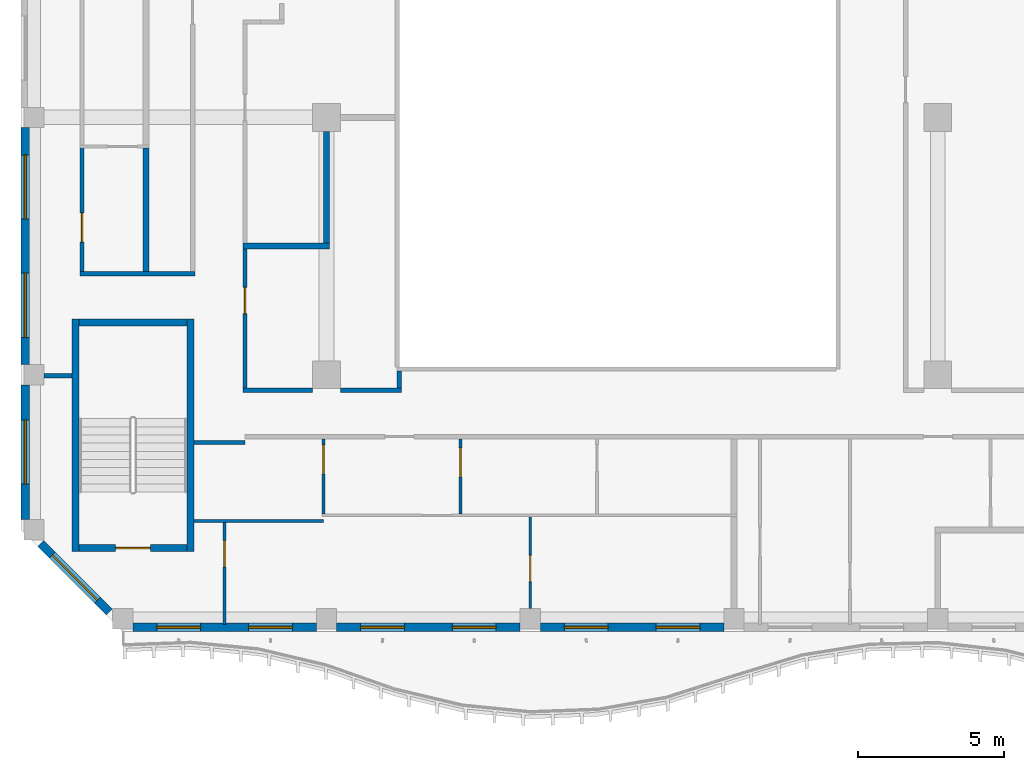
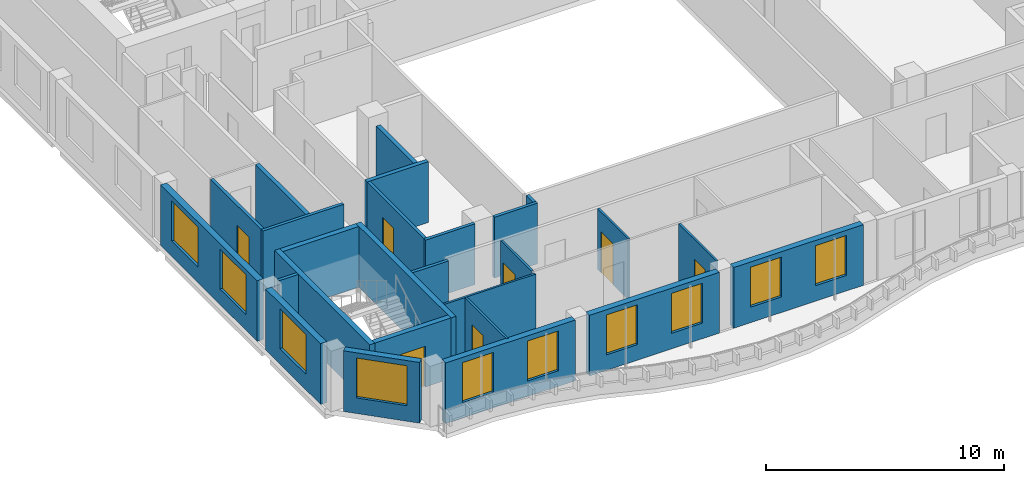
# One storey, part 2 of 20: 26 walls, 10 windows, 7 doors, 17 openings.
"""IFC4 building model written with IfcOpenShell, lengths in metres."""

from ifc_helpers import new_model, si_unit, direction, frame, frame_2d, origin, place, context, subcontext, project, spatial, rectangle, extrude, source, transform, mapped, material, layer, layer_set, type_object, element, fill, save


model = new_model("IFC4")

# Units and contexts
model_context = context("Model", 3, precision=1e-05, world=origin(), true_north=direction((0.0, 1.0)))
body_context = subcontext(model_context, "Body", "Model", "MODEL_VIEW")
ifc_project = project(units=[si_unit("LENGTHUNIT", "METRE"), si_unit("AREAUNIT", "SQUARE_METRE"), si_unit("VOLUMEUNIT", "CUBIC_METRE"), si_unit("PLANEANGLEUNIT", "RADIAN"), si_unit("MASSUNIT", "GRAM", prefix="KILO")], contexts=[model_context])

# Site, building, storey
site_placement = place(None, origin())
site = spatial("IfcSite", under=ifc_project, at=site_placement, CompositionType="ELEMENT")
building_placement = place(site_placement, origin())
building = spatial("IfcBuilding", under=site, at=building_placement, Name="Kilnfold Tower and Market Hall", CompositionType="ELEMENT")
storey_placement = place(building_placement, frame((0.0, 0.0, 239.0)))
storey = spatial("IfcBuildingStorey", under=building, at=storey_placement, Name="L57", CompositionType="ELEMENT", Elevation=239.0)

# Wall, opening, door
ifc_material_1 = material(Name="Gypsum board on steel studs", Category="steel")
ifc_layer_1 = layer(ifc_material_1, 0.14990234375)
ifc_layer_set_1 = layer_set([ifc_layer_1], Name="Gypsum board on steel studs")
wall_type_1 = type_object("IfcWallType", Name="WALL CORRIDOR 150", PredefinedType="PARTITIONING", material=ifc_layer_set_1)
wall_1_placement = place(storey_placement, frame((-17.39990234375, -6.125, 0.0), z_axis=(0.0, 0.0, 1.0), x_axis=(0.0, 1.0, 0.0)))
wall_1 = element("IfcWall", 1, at=wall_1_placement, inside=storey, type_object=wall_type_1, Name="Partition LY35.1", PredefinedType="PARTITIONING", context=body_context, shape_type="SweptSolid", body=[
    extrude(rectangle(XDim=4.25390625, YDim=0.14990234375, at=frame_2d((2.126953125, 0.0))), origin(), (0.0, 0.0, 1.0), 3.1201171875),
])
opening_1_placement = place(wall_1_placement, frame((1.014892578125, 0.0, 0.0)))
opening_1 = element("IfcOpeningElement", 2, at=opening_1_placement, cuts=wall_1, Name="Opening D1", PredefinedType="OPENING", context=body_context, shape_type="SweptSolid", body=[
    extrude(rectangle(XDim=1.0, YDim=2.10009765625, at=frame_2d((0.5, 1.050048828125))), frame((0.0, 0.0849609375, 0.0), z_axis=(0.0, -1.0, 0.0), x_axis=(1.0, 0.0, 0.0)), (0.0, 0.0, 1.0), 0.169921875),
])
ifc_material_2 = material(Name="Timber veneer door leaf in steel frame", Category="steel")
door_type_1 = type_object("IfcDoorType", Name="DOOR ENTRY 1000 X2100", OperationType="NOTDEFINED", PredefinedType="DOOR", material=ifc_material_2)
door_1_placement = place(opening_1_placement, origin())
door_1 = element("IfcDoor", 3, at=door_1_placement, inside=storey, type_object=door_type_1, Name="Door D1", OperationType="SINGLE_SWING_LEFT", OverallHeight=2.10009765625, OverallWidth=1.0, PredefinedType="DOOR", context=body_context, shape_type="SweptSolid", body=[
    extrude(rectangle(XDim=1.0, YDim=2.10009765625, at=frame_2d((0.5, 1.050048828125))), frame((0.0, 0.02490234375, 0.0), z_axis=(0.0, -1.0, 0.0), x_axis=(1.0, 0.0, 0.0)), (0.0, 0.0, 1.0), 0.050048828125),
])
fill(opening_1, door_1)

# Walls
wall_2_placement = place(storey_placement, frame((-17.47509765625, -6.199951171875, 0.0), z_axis=(0.0, 0.0, 1.0), x_axis=(1.0, 0.0, 0.0)))
element("IfcWall", 4, at=wall_2_placement, inside=storey, type_object=wall_type_1, Name="Partition LY35.2", PredefinedType="PARTITIONING", context=body_context, shape_type="SweptSolid", body=[
    extrude(rectangle(XDim=3.9501953125, YDim=0.14990234375, at=frame_2d((1.97509765625, 0.0))), origin(), (0.0, 0.0, 1.0), 3.1201171875),
])
wall_3_placement = place(storey_placement, frame((-13.550048828125, -12.0, 0.0), z_axis=(0.0, 0.0, 1.0), x_axis=(1.0, 0.0, 0.0)))
element("IfcWall", 5, at=wall_3_placement, inside=storey, type_object=wall_type_1, Name="Partition LY35.10", PredefinedType="PARTITIONING", context=body_context, shape_type="SweptSolid", body=[
    extrude(rectangle(XDim=1.75, YDim=0.14990234375, at=frame_2d((0.875, 0.0))), origin(), (0.0, 0.0, 1.0), 3.1201171875),
])
wall_4_placement = place(storey_placement, frame((-18.699951171875, -9.699951171875, 0.0), z_axis=(0.0, 0.0, 1.0), x_axis=(1.0, 0.0, 0.0)))
element("IfcWall", 6, at=wall_4_placement, inside=storey, type_object=wall_type_1, Name="Partition LY35.11", PredefinedType="PARTITIONING", context=body_context, shape_type="SweptSolid", body=[
    extrude(rectangle(XDim=0.949951171875, YDim=0.14990234375, at=frame_2d((0.47509765625, 0.0))), origin(), (0.0, 0.0, 1.0), 3.1201171875),
])

# Wall, opening, door
wall_5_placement = place(storey_placement, frame((-11.800048828125, -10.125, 0.0), z_axis=(0.0, 0.0, 1.0), x_axis=(0.0, 1.0, 0.0)))
wall_5 = element("IfcWall", 7, at=wall_5_placement, inside=storey, type_object=wall_type_1, Name="Partition LY35.36", PredefinedType="PARTITIONING", context=body_context, shape_type="SweptSolid", body=[
    extrude(rectangle(XDim=4.784912109375, YDim=0.14990234375, at=frame_2d((2.392578125, 0.0))), origin(), (0.0, 0.0, 1.0), 3.1201171875),
])
opening_2_placement = place(wall_5_placement, frame((2.55810546875, 0.0, 0.0)))
opening_2 = element("IfcOpeningElement", 8, at=opening_2_placement, cuts=wall_5, Name="Opening D2", PredefinedType="OPENING", context=body_context, shape_type="SweptSolid", body=[
    extrude(rectangle(XDim=0.89990234375, YDim=2.10009765625, at=frame_2d((0.449951171875, 1.050048828125))), frame((0.0, 0.0849609375, 0.0), z_axis=(0.0, -1.0, 0.0), x_axis=(1.0, 0.0, 0.0)), (0.0, 0.0, 1.0), 0.169921875),
])
ifc_material_3 = material(Name="Timber veneer door leaf in steel frame", Category="steel")
door_type_2 = type_object("IfcDoorType", Name="DOOR ROOM 900 X2100", OperationType="NOTDEFINED", PredefinedType="DOOR", material=ifc_material_3)
door_2_placement = place(opening_2_placement, origin())
door_2 = element("IfcDoor", 9, at=door_2_placement, inside=storey, type_object=door_type_2, Name="Door D2", OperationType="SINGLE_SWING_RIGHT", OverallHeight=2.10009765625, OverallWidth=0.89990234375, PredefinedType="DOOR", context=body_context, shape_type="SweptSolid", body=[
    extrude(rectangle(XDim=0.89990234375, YDim=2.10009765625, at=frame_2d((0.449951171875, 1.050048828125))), frame((0.0, 0.02490234375, 0.0), z_axis=(0.0, -1.0, 0.0), x_axis=(1.0, 0.0, 0.0)), (0.0, 0.0, 1.0), 0.050048828125),
])
fill(opening_2, door_2)

# Walls
wall_6_placement = place(storey_placement, frame((-8.52490234375, -10.199951171875, 0.0), z_axis=(0.0, 0.0, 1.0), x_axis=(1.0, 0.0, 0.0)))
element("IfcWall", 10, at=wall_6_placement, inside=storey, type_object=wall_type_1, Name="Partition LY35.37", PredefinedType="PARTITIONING", context=body_context, shape_type="SweptSolid", body=[
    extrude(rectangle(XDim=2.099853515625, YDim=0.14990234375, at=frame_2d((1.0498046875, 0.0))), origin(), (0.0, 0.0, 1.0), 3.1201171875),
])
wall_7_placement = place(storey_placement, frame((-11.875, -10.199951171875, 0.0), z_axis=(0.0, 0.0, 1.0), x_axis=(1.0, 0.0, 0.0)))
element("IfcWall", 11, at=wall_7_placement, inside=storey, type_object=wall_type_1, Name="Partition LY35.38", PredefinedType="PARTITIONING", context=body_context, shape_type="SweptSolid", body=[
    extrude(rectangle(XDim=2.39990234375, YDim=0.14990234375, at=frame_2d((1.199951171875, 0.0))), origin(), (0.0, 0.0, 1.0), 3.1201171875),
])
wall_8_placement = place(storey_placement, frame((-6.5, -9.550048828125, 0.0), z_axis=(0.0, 0.0, 1.0), x_axis=(0.0, -1.0, 0.0)))
element("IfcWall", 12, at=wall_8_placement, inside=storey, type_object=wall_type_1, Name="Partition LY35.39", PredefinedType="PARTITIONING", context=body_context, shape_type="SweptSolid", body=[
    extrude(rectangle(XDim=0.574951171875, YDim=0.14990234375, at=frame_2d((0.28759765625, 0.0))), origin(), (0.0, 0.0, 1.0), 3.1201171875),
])

# Wall, opening, door
ifc_material_4 = material(Name="Gypsum board on steel studs", Category="steel")
ifc_layer_2 = layer(ifc_material_4, 0.10009765625)
ifc_layer_set_2 = layer_set([ifc_layer_2], Name="Gypsum board on steel studs")
wall_type_2 = type_object("IfcWallType", Name="WALL PARTITION 100", PredefinedType="PARTITIONING", material=ifc_layer_set_2)
wall_9_placement = place(storey_placement, frame((-9.10009765625, -14.4599609375, 0.0), z_axis=(0.0, 0.0, 1.0), x_axis=(0.0, 1.0, 0.0)))
wall_9 = element("IfcWall", 13, at=wall_9_placement, inside=storey, type_object=wall_type_2, Name="Partition LY35.54", PredefinedType="PARTITIONING", context=body_context, shape_type="SweptSolid", body=[
    extrude(rectangle(XDim=2.5830078125, YDim=0.10009765625, at=frame_2d((1.29150390625, 0.0))), origin(), (0.0, 0.0, 1.0), 3.1201171875),
])
opening_3_placement = place(wall_9_placement, frame((1.383056640625, 0.0, 0.0)))
opening_3 = element("IfcOpeningElement", 14, at=opening_3_placement, cuts=wall_9, Name="Opening D1", PredefinedType="OPENING", context=body_context, shape_type="SweptSolid", body=[
    extrude(rectangle(XDim=1.0, YDim=2.10009765625, at=frame_2d((0.5, 1.050048828125))), frame((0.0, 0.06005859375, 0.0), z_axis=(0.0, -1.0, 0.0), x_axis=(1.0, 0.0, 0.0)), (0.0, 0.0, 1.0), 0.1201171875),
])
door_3_placement = place(opening_3_placement, origin())
door_3 = element("IfcDoor", 15, at=door_3_placement, inside=storey, type_object=door_type_1, Name="Door D1", OperationType="SINGLE_SWING_LEFT", OverallHeight=2.10009765625, OverallWidth=1.0, PredefinedType="DOOR", context=body_context, shape_type="SweptSolid", body=[
    extrude(rectangle(XDim=1.0, YDim=2.10009765625, at=frame_2d((0.5, 1.050048828125))), frame((0.0, 0.02490234375, 0.0), z_axis=(0.0, -1.0, 0.0), x_axis=(1.0, 0.0, 0.0)), (0.0, 0.0, 1.0), 0.050048828125),
])
fill(opening_3, door_3)

# Wall
wall_10_placement = place(storey_placement, frame((-13.550048828125, -14.699951171875, 0.0), z_axis=(0.0, 0.0, 1.0), x_axis=(1.0, 0.0, 0.0)))
element("IfcWall", 16, at=wall_10_placement, inside=storey, type_object=wall_type_2, Name="Partition LY35.55", PredefinedType="PARTITIONING", context=body_context, shape_type="SweptSolid", body=[
    extrude(rectangle(XDim=4.449951171875, YDim=0.10009765625, at=frame_2d((2.22509765625, 0.0))), origin(), (0.0, 0.0, 1.0), 3.1201171875),
])

# Wall, opening, door
wall_11_placement = place(storey_placement, frame((-4.39990234375, -14.449951171875, 0.0), z_axis=(0.0, 0.0, 1.0), x_axis=(0.0, 1.0, 0.0)))
wall_11 = element("IfcWall", 17, at=wall_11_placement, inside=storey, type_object=wall_type_2, Name="Partition LY35.56", PredefinedType="PARTITIONING", context=body_context, shape_type="SweptSolid", body=[
    extrude(rectangle(XDim=2.572998046875, YDim=0.10009765625, at=frame_2d((1.28662109375, 0.0))), origin(), (0.0, 0.0, 1.0), 3.1201171875),
])
opening_4_placement = place(wall_11_placement, frame((1.26611328125, 0.0, 0.0)))
opening_4 = element("IfcOpeningElement", 18, at=opening_4_placement, cuts=wall_11, Name="Opening D1", PredefinedType="OPENING", context=body_context, shape_type="SweptSolid", body=[
    extrude(rectangle(XDim=1.0, YDim=2.10009765625, at=frame_2d((0.5, 1.050048828125))), frame((0.0, 0.06005859375, 0.0), z_axis=(0.0, -1.0, 0.0), x_axis=(1.0, 0.0, 0.0)), (0.0, 0.0, 1.0), 0.1201171875),
])
door_4_placement = place(opening_4_placement, origin())
door_4 = element("IfcDoor", 19, at=door_4_placement, inside=storey, type_object=door_type_1, Name="Door D1", OperationType="SINGLE_SWING_LEFT", OverallHeight=2.10009765625, OverallWidth=1.0, PredefinedType="DOOR", context=body_context, shape_type="SweptSolid", body=[
    extrude(rectangle(XDim=1.0, YDim=2.10009765625, at=frame_2d((0.5, 1.050048828125))), frame((0.0, 0.02490234375, 0.0), z_axis=(0.0, -1.0, 0.0), x_axis=(1.0, 0.0, 0.0)), (0.0, 0.0, 1.0), 0.050048828125),
])
fill(opening_4, door_4)

wall_12_placement = place(storey_placement, frame((-12.5, -18.25, 0.0), z_axis=(0.0, 0.0, 1.0), x_axis=(0.0, 1.0, 0.0)))
wall_12 = element("IfcWall", 20, at=wall_12_placement, inside=storey, type_object=wall_type_2, Name="Partition LY35.60", PredefinedType="PARTITIONING", context=body_context, shape_type="SweptSolid", body=[
    extrude(rectangle(XDim=3.498046875, YDim=0.10009765625, at=frame_2d((1.7490234375, 0.0))), origin(), (0.0, 0.0, 1.0), 3.1201171875),
])
opening_5_placement = place(wall_12_placement, frame((1.97900390625, 0.0, 0.0)))
opening_5 = element("IfcOpeningElement", 21, at=opening_5_placement, cuts=wall_12, Name="Opening D2", PredefinedType="OPENING", context=body_context, shape_type="SweptSolid", body=[
    extrude(rectangle(XDim=0.89990234375, YDim=2.10009765625, at=frame_2d((0.449951171875, 1.050048828125))), frame((0.0, 0.06005859375, 0.0), z_axis=(0.0, -1.0, 0.0), x_axis=(1.0, 0.0, 0.0)), (0.0, 0.0, 1.0), 0.1201171875),
])
door_5_placement = place(opening_5_placement, origin())
door_5 = element("IfcDoor", 22, at=door_5_placement, inside=storey, type_object=door_type_2, Name="Door D2", OperationType="SINGLE_SWING_LEFT", OverallHeight=2.10009765625, OverallWidth=0.89990234375, PredefinedType="DOOR", context=body_context, shape_type="SweptSolid", body=[
    extrude(rectangle(XDim=0.89990234375, YDim=2.10009765625, at=frame_2d((0.449951171875, 1.050048828125))), frame((0.0, 0.02490234375, 0.0), z_axis=(0.0, -1.0, 0.0), x_axis=(1.0, 0.0, 0.0)), (0.0, 0.0, 1.0), 0.050048828125),
])
fill(opening_5, door_5)

wall_13_placement = place(storey_placement, frame((-2.0, -17.699951171875, 0.0), z_axis=(0.0, 0.0, 1.0), x_axis=(0.0, 1.0, 0.0)))
wall_13 = element("IfcWall", 23, at=wall_13_placement, inside=storey, type_object=wall_type_2, Name="Partition LY35.61", PredefinedType="PARTITIONING", context=body_context, shape_type="SweptSolid", body=[
    extrude(rectangle(XDim=3.14794921875, YDim=0.10009765625, at=frame_2d((1.573974609375, 0.0))), origin(), (0.0, 0.0, 1.0), 3.1201171875),
])
opening_6_placement = place(wall_13_placement, frame((0.9189453125, 0.0, 0.0)))
opening_6 = element("IfcOpeningElement", 24, at=opening_6_placement, cuts=wall_13, Name="Opening D2", PredefinedType="OPENING", context=body_context, shape_type="SweptSolid", body=[
    extrude(rectangle(XDim=0.89990234375, YDim=2.10009765625, at=frame_2d((0.449951171875, 1.050048828125))), frame((0.0, 0.06005859375, 0.0), z_axis=(0.0, -1.0, 0.0), x_axis=(1.0, 0.0, 0.0)), (0.0, 0.0, 1.0), 0.1201171875),
])
door_6_placement = place(opening_6_placement, origin())
door_6 = element("IfcDoor", 25, at=door_6_placement, inside=storey, type_object=door_type_2, Name="Door D2", OperationType="SINGLE_SWING_RIGHT", OverallHeight=2.10009765625, OverallWidth=0.89990234375, PredefinedType="DOOR", context=body_context, shape_type="SweptSolid", body=[
    extrude(rectangle(XDim=0.89990234375, YDim=2.10009765625, at=frame_2d((0.449951171875, 1.050048828125))), frame((0.0, 0.02490234375, 0.0), z_axis=(0.0, -1.0, 0.0), x_axis=(1.0, 0.0, 0.0)), (0.0, 0.0, 1.0), 0.050048828125),
])
fill(opening_6, door_6)

# Walls
ifc_material_5 = material(Name="Gypsum board on steel studs", Category="steel")
ifc_layer_3 = layer(ifc_material_5, 0.199951171875)
ifc_layer_set_3 = layer_set([ifc_layer_3], Name="Gypsum board on steel studs")
wall_type_3 = type_object("IfcWallType", Name="WALL PARTY 200", PredefinedType="PARTITIONING", material=ifc_layer_set_3)
wall_14_placement = place(storey_placement, frame((-15.199951171875, -6.123046875, 0.0), z_axis=(0.0, 0.0, 1.0), x_axis=(0.0, 1.0, 0.0)))
element("IfcWall", 26, at=wall_14_placement, inside=storey, type_object=wall_type_3, Name="Partition LY35.49", PredefinedType="PARTITIONING", context=body_context, shape_type="SweptSolid", body=[
    extrude(rectangle(XDim=4.241943359375, YDim=0.199951171875, at=frame_2d((2.12109375, 0.0))), origin(), (0.0, 0.0, 1.0), 3.1201171875),
])
wall_15_placement = place(storey_placement, frame((-9.0, -5.14990234375, 0.0), z_axis=(0.0, 0.0, 1.0), x_axis=(0.0, 1.0, 0.0)))
element("IfcWall", 27, at=wall_15_placement, inside=storey, type_object=wall_type_3, Name="Partition LY35.106", PredefinedType="PARTITIONING", context=body_context, shape_type="SweptSolid", body=[
    extrude(rectangle(XDim=3.841796875, YDim=0.199951171875, at=frame_2d((1.9208984375, 0.0))), origin(), (0.0, 0.0, 1.0), 2.570068359375),
])
wall_16_placement = place(storey_placement, frame((-11.873046875, -5.25, 0.0), z_axis=(0.0, 0.0, 1.0), x_axis=(1.0, 0.0, 0.0)))
element("IfcWall", 28, at=wall_16_placement, inside=storey, type_object=wall_type_3, Name="Partition LY35.107", PredefinedType="PARTITIONING", context=body_context, shape_type="SweptSolid", body=[
    extrude(rectangle(XDim=2.97314453125, YDim=0.199951171875, at=frame_2d((1.486572265625, 0.0))), origin(), (0.0, 0.0, 1.0), 3.1201171875),
])

# Wall, opening, door
ifc_material_6 = material(Name="Concrete C60", Category="concrete")
ifc_layer_4 = layer(ifc_material_6, 0.25)
ifc_layer_set_4 = layer_set([ifc_layer_4], Name="Concrete C60")
wall_type_4 = type_object("IfcWallType", Name="CORE WALL 250 C60", PredefinedType="SHEAR", material=ifc_layer_set_4)
shared_shape_1 = source(origin(), body_context, "Body", "SweptSolid", [
    extrude(rectangle(XDim=3.699951171875, YDim=0.25, at=frame_2d((1.85009765625, 0.0))), origin(), (0.0, 0.0, 1.0), 3.1201171875),
])
wall_17_placement = place(storey_placement, frame((-17.5, -15.625, 0.0), z_axis=(0.0, 0.0, 1.0), x_axis=(1.0, 0.0, 0.0)))
wall_17 = element("IfcWall", 29, at=wall_17_placement, inside=storey, type_object=wall_type_4, Name="Stair enclosure ST3", PredefinedType="SHEAR", context=body_context, shape_type="MappedRepresentation", body=[
    mapped(shared_shape_1, transform((0.0, 0.0, 0.0))),
])
opening_7_placement = place(wall_17_placement, frame((1.25, 0.0, 0.0)))
opening_7 = element("IfcOpeningElement", 30, at=opening_7_placement, cuts=wall_17, Name="Opening SD1", PredefinedType="OPENING", context=body_context, shape_type="SweptSolid", body=[
    extrude(rectangle(XDim=1.199951171875, YDim=2.10009765625, at=frame_2d((0.60009765625, 1.050048828125))), frame((0.0, 0.135009765625, 0.0), z_axis=(0.0, -1.0, 0.0), x_axis=(1.0, 0.0, 0.0)), (0.0, 0.0, 1.0), 0.27001953125),
])
ifc_material_7 = material(Name="Steel door set with fire-resisting leaf", Category="steel")
door_type_3 = type_object("IfcDoorType", Name="STAIR FLOOR DOOR 1200X2100", OperationType="NOTDEFINED", PredefinedType="DOOR", material=ifc_material_7)
door_7_placement = place(opening_7_placement, origin())
door_7 = element("IfcDoor", 31, at=door_7_placement, inside=storey, type_object=door_type_3, Name="Exit stair ST3 door", OperationType="DOUBLE_DOOR_SINGLE_SWING", OverallHeight=2.10009765625, OverallWidth=1.199951171875, PredefinedType="DOOR", context=body_context, shape_type="SweptSolid", body=[
    extrude(rectangle(XDim=1.199951171875, YDim=2.10009765625, at=frame_2d((0.60009765625, 1.050048828125))), frame((0.0, 0.02490234375, 0.0), z_axis=(0.0, -1.0, 0.0), x_axis=(1.0, 0.0, 0.0)), (0.0, 0.0, 1.0), 0.050048828125),
])
fill(opening_7, door_7)

# Walls
wall_18_placement = place(storey_placement, frame((-17.5, -7.875, 0.0), z_axis=(0.0, 0.0, 1.0), x_axis=(1.0, 0.0, 0.0)))
element("IfcWall", 32, at=wall_18_placement, inside=storey, type_object=wall_type_4, Name="Stair enclosure ST3", PredefinedType="SHEAR", context=body_context, shape_type="MappedRepresentation", body=[
    mapped(shared_shape_1, transform((0.0, 0.0, 0.0))),
])
shared_shape_2 = source(origin(), body_context, "Body", "SweptSolid", [
    extrude(rectangle(XDim=8.0, YDim=0.25, at=frame_2d((4.0, 0.0))), origin(), (0.0, 0.0, 1.0), 3.1201171875),
])
for number, where, z_axis, x_axis, name in (
    (33, (-17.625, -15.75, 0.0), (0.0, 0.0, 1.0), (0.0, 1.0, 0.0), "Stair enclosure ST3"),
    (34, (-13.675048828125, -15.75, 0.0), (0.0, 0.0, 1.0), (0.0, 1.0, 0.0), "Stair enclosure ST3"),
):
    element("IfcWall", number, at=place(storey_placement, frame(where, z_axis=z_axis, x_axis=x_axis)), inside=storey, type_object=wall_type_4, Name=name, PredefinedType="SHEAR", context=body_context, shape_type="MappedRepresentation", body=[
        mapped(shared_shape_2, transform((0.0, 0.0, 0.0))),
    ])

# Wall, openings, windows
ifc_material_8 = material(Name="Precast concrete C50/60", Category="concrete")
ifc_layer_5 = layer(ifc_material_8, 0.300048828125)
ifc_layer_set_5 = layer_set([ifc_layer_5], Name="Precast concrete C50/60")
wall_type_5 = type_object("IfcWallType", Name="PRECAST WALL 300", PredefinedType="SOLIDWALL", material=ifc_layer_set_5)
shared_shape_3 = source(origin(), body_context, "Body", "SweptSolid", [
    extrude(rectangle(XDim=6.2998046875, YDim=0.300048828125, at=frame_2d((3.14990234375, 0.0))), origin(), (0.0, 0.0, 1.0), 3.1201171875),
])
wall_19_placement = place(storey_placement, frame((-15.64990234375, -18.35009765625, 0.0), z_axis=(0.0, 0.0, 1.0), x_axis=(1.0, 0.0, 0.0)))
wall_19 = element("IfcWall", 35, at=wall_19_placement, inside=storey, type_object=wall_type_5, Name="External wall L57 S", PredefinedType="SOLIDWALL", context=body_context, shape_type="MappedRepresentation", body=[
    mapped(shared_shape_3, transform((0.0, 0.0, 0.0))),
])
opening_8_placement = place(wall_19_placement, frame((0.824951171875, 0.0, 0.800048828125)))
opening_8 = element("IfcOpeningElement", 36, at=opening_8_placement, cuts=wall_19, Name="Opening W5", PredefinedType="OPENING", context=body_context, shape_type="SweptSolid", body=[
    extrude(rectangle(XDim=1.5, YDim=2.050048828125, at=frame_2d((0.75, 1.02490234375))), frame((0.0, 0.16015625, 0.0), z_axis=(0.0, -1.0, 0.0), x_axis=(1.0, 0.0, 0.0)), (0.0, 0.0, 1.0), 0.320068359375),
])
opening_9_placement = place(wall_19_placement, frame((3.97509765625, 0.0, 0.800048828125)))
opening_9 = element("IfcOpeningElement", 37, at=opening_9_placement, cuts=wall_19, Name="Opening W5", PredefinedType="OPENING", context=body_context, shape_type="SweptSolid", body=[
    extrude(rectangle(XDim=1.5, YDim=2.050048828125, at=frame_2d((0.75, 1.02490234375))), frame((0.0, 0.16015625, 0.0), z_axis=(0.0, -1.0, 0.0), x_axis=(1.0, 0.0, 0.0)), (0.0, 0.0, 1.0), 0.320068359375),
])
ifc_material_9 = material(Name="Aluminium frame and double glazing", Category="aluminium")
window_type_1 = type_object("IfcWindowType", Name="WINDOW W5 1500X2050", PartitioningType="SINGLE_PANEL", PredefinedType="WINDOW", material=ifc_material_9)
window_1_placement = place(opening_8_placement, origin())
window_1 = element("IfcWindow", 38, at=window_1_placement, inside=storey, type_object=window_type_1, Name="Window W5 L57 S-1", OverallHeight=2.050048828125, OverallWidth=1.5, PartitioningType="SINGLE_PANEL", PredefinedType="WINDOW", context=body_context, shape_type="SweptSolid", body=[
    extrude(rectangle(XDim=1.5, YDim=2.050048828125, at=frame_2d((0.75, 1.02490234375))), frame((0.0, 0.030029296875, 0.0), z_axis=(0.0, -1.0, 0.0), x_axis=(1.0, 0.0, 0.0)), (0.0, 0.0, 1.0), 0.06005859375),
])
fill(opening_8, window_1)
window_2_placement = place(opening_9_placement, origin())
window_2 = element("IfcWindow", 39, at=window_2_placement, inside=storey, type_object=window_type_1, Name="Window W5 L57 S-2", OverallHeight=2.050048828125, OverallWidth=1.5, PartitioningType="SINGLE_PANEL", PredefinedType="WINDOW", context=body_context, shape_type="SweptSolid", body=[
    extrude(rectangle(XDim=1.5, YDim=2.050048828125, at=frame_2d((0.75, 1.02490234375))), frame((0.0, 0.030029296875, 0.0), z_axis=(0.0, -1.0, 0.0), x_axis=(1.0, 0.0, 0.0)), (0.0, 0.0, 1.0), 0.06005859375),
])
fill(opening_9, window_2)

wall_20_placement = place(storey_placement, frame((-8.64990234375, -18.35009765625, 0.0), z_axis=(0.0, 0.0, 1.0), x_axis=(1.0, 0.0, 0.0)))
wall_20 = element("IfcWall", 40, at=wall_20_placement, inside=storey, type_object=wall_type_5, Name="External wall L57 S", PredefinedType="SOLIDWALL", context=body_context, shape_type="MappedRepresentation", body=[
    mapped(shared_shape_3, transform((0.0, 0.0, 0.0))),
])
opening_10_placement = place(wall_20_placement, frame((0.824951171875, 0.0, 0.800048828125)))
opening_10 = element("IfcOpeningElement", 41, at=opening_10_placement, cuts=wall_20, Name="Opening W5", PredefinedType="OPENING", context=body_context, shape_type="SweptSolid", body=[
    extrude(rectangle(XDim=1.5, YDim=2.050048828125, at=frame_2d((0.75, 1.02490234375))), frame((0.0, 0.16015625, 0.0), z_axis=(0.0, -1.0, 0.0), x_axis=(1.0, 0.0, 0.0)), (0.0, 0.0, 1.0), 0.320068359375),
])
opening_11_placement = place(wall_20_placement, frame((3.97509765625, 0.0, 0.800048828125)))
opening_11 = element("IfcOpeningElement", 42, at=opening_11_placement, cuts=wall_20, Name="Opening W5", PredefinedType="OPENING", context=body_context, shape_type="SweptSolid", body=[
    extrude(rectangle(XDim=1.5, YDim=2.050048828125, at=frame_2d((0.75, 1.02490234375))), frame((0.0, 0.16015625, 0.0), z_axis=(0.0, -1.0, 0.0), x_axis=(1.0, 0.0, 0.0)), (0.0, 0.0, 1.0), 0.320068359375),
])
window_3_placement = place(opening_10_placement, origin())
window_3 = element("IfcWindow", 43, at=window_3_placement, inside=storey, type_object=window_type_1, Name="Window W5 L57 S-1", OverallHeight=2.050048828125, OverallWidth=1.5, PartitioningType="SINGLE_PANEL", PredefinedType="WINDOW", context=body_context, shape_type="SweptSolid", body=[
    extrude(rectangle(XDim=1.5, YDim=2.050048828125, at=frame_2d((0.75, 1.02490234375))), frame((0.0, 0.030029296875, 0.0), z_axis=(0.0, -1.0, 0.0), x_axis=(1.0, 0.0, 0.0)), (0.0, 0.0, 1.0), 0.06005859375),
])
fill(opening_10, window_3)
window_4_placement = place(opening_11_placement, origin())
window_4 = element("IfcWindow", 44, at=window_4_placement, inside=storey, type_object=window_type_1, Name="Window W5 L57 S-2", OverallHeight=2.050048828125, OverallWidth=1.5, PartitioningType="SINGLE_PANEL", PredefinedType="WINDOW", context=body_context, shape_type="SweptSolid", body=[
    extrude(rectangle(XDim=1.5, YDim=2.050048828125, at=frame_2d((0.75, 1.02490234375))), frame((0.0, 0.030029296875, 0.0), z_axis=(0.0, -1.0, 0.0), x_axis=(1.0, 0.0, 0.0)), (0.0, 0.0, 1.0), 0.06005859375),
])
fill(opening_11, window_4)

wall_21_placement = place(storey_placement, frame((-1.64990234375, -18.35009765625, 0.0), z_axis=(0.0, 0.0, 1.0), x_axis=(1.0, 0.0, 0.0)))
wall_21 = element("IfcWall", 45, at=wall_21_placement, inside=storey, type_object=wall_type_5, Name="External wall L57 S", PredefinedType="SOLIDWALL", context=body_context, shape_type="MappedRepresentation", body=[
    mapped(shared_shape_3, transform((0.0, 0.0, 0.0))),
])
opening_12_placement = place(wall_21_placement, frame((0.824951171875, 0.0, 0.800048828125)))
opening_12 = element("IfcOpeningElement", 46, at=opening_12_placement, cuts=wall_21, Name="Opening W5", PredefinedType="OPENING", context=body_context, shape_type="SweptSolid", body=[
    extrude(rectangle(XDim=1.5, YDim=2.050048828125, at=frame_2d((0.75, 1.02490234375))), frame((0.0, 0.16015625, 0.0), z_axis=(0.0, -1.0, 0.0), x_axis=(1.0, 0.0, 0.0)), (0.0, 0.0, 1.0), 0.320068359375),
])
opening_13_placement = place(wall_21_placement, frame((3.97509765625, 0.0, 0.800048828125)))
opening_13 = element("IfcOpeningElement", 47, at=opening_13_placement, cuts=wall_21, Name="Opening W5", PredefinedType="OPENING", context=body_context, shape_type="SweptSolid", body=[
    extrude(rectangle(XDim=1.5, YDim=2.050048828125, at=frame_2d((0.75, 1.02490234375))), frame((0.0, 0.16015625, 0.0), z_axis=(0.0, -1.0, 0.0), x_axis=(1.0, 0.0, 0.0)), (0.0, 0.0, 1.0), 0.320068359375),
])
window_5_placement = place(opening_12_placement, origin())
window_5 = element("IfcWindow", 48, at=window_5_placement, inside=storey, type_object=window_type_1, Name="Window W5 L57 S-1", OverallHeight=2.050048828125, OverallWidth=1.5, PartitioningType="SINGLE_PANEL", PredefinedType="WINDOW", context=body_context, shape_type="SweptSolid", body=[
    extrude(rectangle(XDim=1.5, YDim=2.050048828125, at=frame_2d((0.75, 1.02490234375))), frame((0.0, 0.030029296875, 0.0), z_axis=(0.0, -1.0, 0.0), x_axis=(1.0, 0.0, 0.0)), (0.0, 0.0, 1.0), 0.06005859375),
])
fill(opening_12, window_5)
window_6_placement = place(opening_13_placement, origin())
window_6 = element("IfcWindow", 49, at=window_6_placement, inside=storey, type_object=window_type_1, Name="Window W5 L57 S-2", OverallHeight=2.050048828125, OverallWidth=1.5, PartitioningType="SINGLE_PANEL", PredefinedType="WINDOW", context=body_context, shape_type="SweptSolid", body=[
    extrude(rectangle(XDim=1.5, YDim=2.050048828125, at=frame_2d((0.75, 1.02490234375))), frame((0.0, 0.030029296875, 0.0), z_axis=(0.0, -1.0, 0.0), x_axis=(1.0, 0.0, 0.0)), (0.0, 0.0, 1.0), 0.06005859375),
])
fill(opening_13, window_6)

shared_shape_4 = source(origin(), body_context, "Body", "SweptSolid", [
    extrude(rectangle(XDim=8.13330078125, YDim=0.300048828125, at=frame_2d((4.066650390625, 0.0))), origin(), (0.0, 0.0, 1.0), 3.1201171875),
])
wall_22_placement = place(storey_placement, frame((-19.35009765625, -1.183349609375, 0.0), z_axis=(0.0, 0.0, 1.0), x_axis=(0.0, -1.0, 0.0)))
wall_22 = element("IfcWall", 50, at=wall_22_placement, inside=storey, type_object=wall_type_5, Name="External wall L57 W", PredefinedType="SOLIDWALL", context=body_context, shape_type="MappedRepresentation", body=[
    mapped(shared_shape_4, transform((0.0, 0.0, 0.0))),
])
opening_14_placement = place(wall_22_placement, frame((0.933349609375, 0.0, 0.800048828125)))
opening_14 = element("IfcOpeningElement", 51, at=opening_14_placement, cuts=wall_22, Name="Opening W3", PredefinedType="OPENING", context=body_context, shape_type="SweptSolid", body=[
    extrude(rectangle(XDim=2.199951171875, YDim=2.050048828125, at=frame_2d((1.10009765625, 1.02490234375))), frame((0.0, 0.16015625, 0.0), z_axis=(0.0, -1.0, 0.0), x_axis=(1.0, 0.0, 0.0)), (0.0, 0.0, 1.0), 0.320068359375),
])
opening_15_placement = place(wall_22_placement, frame((5.0, 0.0, 0.800048828125)))
opening_15 = element("IfcOpeningElement", 52, at=opening_15_placement, cuts=wall_22, Name="Opening W3", PredefinedType="OPENING", context=body_context, shape_type="SweptSolid", body=[
    extrude(rectangle(XDim=2.199951171875, YDim=2.050048828125, at=frame_2d((1.10009765625, 1.02490234375))), frame((0.0, 0.16015625, 0.0), z_axis=(0.0, -1.0, 0.0), x_axis=(1.0, 0.0, 0.0)), (0.0, 0.0, 1.0), 0.320068359375),
])
ifc_material_10 = material(Name="Aluminium frame and double glazing", Category="aluminium")
window_type_2 = type_object("IfcWindowType", Name="WINDOW W3 2200X2050", PartitioningType="SINGLE_PANEL", PredefinedType="WINDOW", material=ifc_material_10)
window_7_placement = place(opening_14_placement, origin())
window_7 = element("IfcWindow", 53, at=window_7_placement, inside=storey, type_object=window_type_2, Name="Window W3 L57 W-1", OverallHeight=2.050048828125, OverallWidth=2.199951171875, PartitioningType="SINGLE_PANEL", PredefinedType="WINDOW", context=body_context, shape_type="SweptSolid", body=[
    extrude(rectangle(XDim=2.199951171875, YDim=2.050048828125, at=frame_2d((1.10009765625, 1.02490234375))), frame((0.0, 0.030029296875, 0.0), z_axis=(0.0, -1.0, 0.0), x_axis=(1.0, 0.0, 0.0)), (0.0, 0.0, 1.0), 0.06005859375),
])
fill(opening_14, window_7)
window_8_placement = place(opening_15_placement, origin())
window_8 = element("IfcWindow", 54, at=window_8_placement, inside=storey, type_object=window_type_2, Name="Window W3 L57 W-2", OverallHeight=2.050048828125, OverallWidth=2.199951171875, PartitioningType="SINGLE_PANEL", PredefinedType="WINDOW", context=body_context, shape_type="SweptSolid", body=[
    extrude(rectangle(XDim=2.199951171875, YDim=2.050048828125, at=frame_2d((1.10009765625, 1.02490234375))), frame((0.0, 0.030029296875, 0.0), z_axis=(0.0, -1.0, 0.0), x_axis=(1.0, 0.0, 0.0)), (0.0, 0.0, 1.0), 0.06005859375),
])
fill(opening_15, window_8)

# Wall, opening, window
shared_shape_5 = source(origin(), body_context, "Body", "SweptSolid", [
    extrude(rectangle(XDim=4.63330078125, YDim=0.300048828125, at=frame_2d((2.316650390625, 0.0))), origin(), (0.0, 0.0, 1.0), 3.1201171875),
])
wall_23_placement = place(storey_placement, frame((-19.35009765625, -10.0166015625, 0.0), z_axis=(0.0, 0.0, 1.0), x_axis=(0.0, -1.0, 0.0)))
wall_23 = element("IfcWall", 55, at=wall_23_placement, inside=storey, type_object=wall_type_5, Name="External wall L57 W", PredefinedType="SOLIDWALL", context=body_context, shape_type="MappedRepresentation", body=[
    mapped(shared_shape_5, transform((0.0, 0.0, 0.0))),
])
opening_16_placement = place(wall_23_placement, frame((1.216552734375, 0.0, 0.800048828125)))
opening_16 = element("IfcOpeningElement", 56, at=opening_16_placement, cuts=wall_23, Name="Opening W3", PredefinedType="OPENING", context=body_context, shape_type="SweptSolid", body=[
    extrude(rectangle(XDim=2.199951171875, YDim=2.050048828125, at=frame_2d((1.10009765625, 1.02490234375))), frame((0.0, 0.16015625, 0.0), z_axis=(0.0, -1.0, 0.0), x_axis=(1.0, 0.0, 0.0)), (0.0, 0.0, 1.0), 0.320068359375),
])
window_9_placement = place(opening_16_placement, origin())
window_9 = element("IfcWindow", 57, at=window_9_placement, inside=storey, type_object=window_type_2, Name="Window W3 L57 W-1", OverallHeight=2.050048828125, OverallWidth=2.199951171875, PartitioningType="SINGLE_PANEL", PredefinedType="WINDOW", context=body_context, shape_type="SweptSolid", body=[
    extrude(rectangle(XDim=2.199951171875, YDim=2.050048828125, at=frame_2d((1.10009765625, 1.02490234375))), frame((0.0, 0.030029296875, 0.0), z_axis=(0.0, -1.0, 0.0), x_axis=(1.0, 0.0, 0.0)), (0.0, 0.0, 1.0), 0.06005859375),
])
fill(opening_16, window_9)

shared_shape_6 = source(origin(), body_context, "Body", "SweptSolid", [
    extrude(rectangle(XDim=3.323486328125, YDim=0.300048828125, at=frame_2d((1.66162109375, 0.0))), origin(), (0.0, 0.0, 1.0), 3.1201171875),
])
wall_24_placement = place(storey_placement, frame((-18.81884765625, -15.468994140625, 0.0), z_axis=(0.0, 0.0, 1.0), x_axis=(0.707070049321, -0.707143511144, 0.0)))
wall_24 = element("IfcWall", 58, at=wall_24_placement, inside=storey, type_object=wall_type_5, Name="External wall L57 SW", PredefinedType="SOLIDWALL", context=body_context, shape_type="MappedRepresentation", body=[
    mapped(shared_shape_6, transform((0.0, 0.0, 0.0))),
])
opening_17_placement = place(wall_24_placement, frame((0.561767578125, 0.0, 0.800048828125)))
opening_17 = element("IfcOpeningElement", 59, at=opening_17_placement, cuts=wall_24, Name="Opening W3", PredefinedType="OPENING", context=body_context, shape_type="SweptSolid", body=[
    extrude(rectangle(XDim=2.199951171875, YDim=2.050048828125, at=frame_2d((1.10009765625, 1.02490234375))), frame((0.0, 0.16015625, 0.0), z_axis=(0.0, -1.0, 0.0), x_axis=(1.0, 0.0, 0.0)), (0.0, 0.0, 1.0), 0.320068359375),
])
window_10_placement = place(opening_17_placement, origin())
window_10 = element("IfcWindow", 60, at=window_10_placement, inside=storey, type_object=window_type_2, Name="Window W3 L57 SW-1", OverallHeight=2.050048828125, OverallWidth=2.199951171875, PartitioningType="SINGLE_PANEL", PredefinedType="WINDOW", context=body_context, shape_type="SweptSolid", body=[
    extrude(rectangle(XDim=2.199951171875, YDim=2.050048828125, at=frame_2d((1.10009765625, 1.02490234375))), frame((0.0, 0.030029296875, 0.0), z_axis=(0.0, -1.0, 0.0), x_axis=(1.0, 0.0, 0.0)), (0.0, 0.0, 1.0), 0.06005859375),
])
fill(opening_17, window_10)

save(model, "model.ifc")
